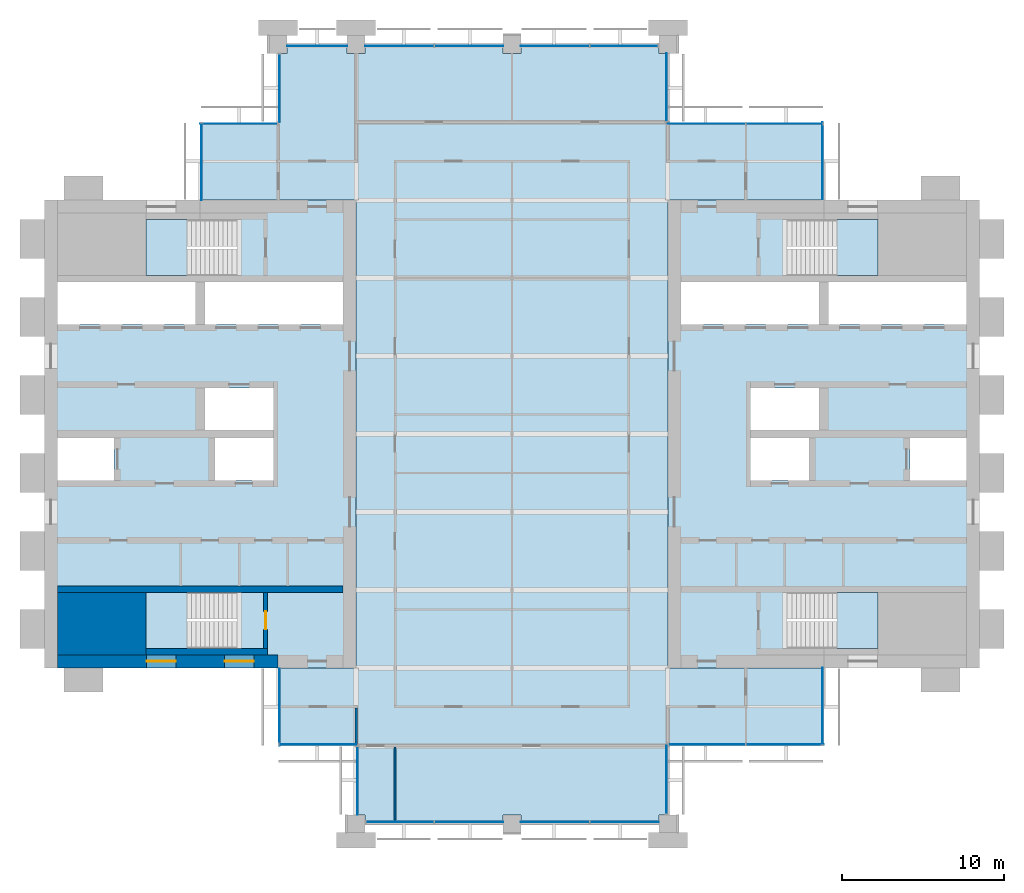
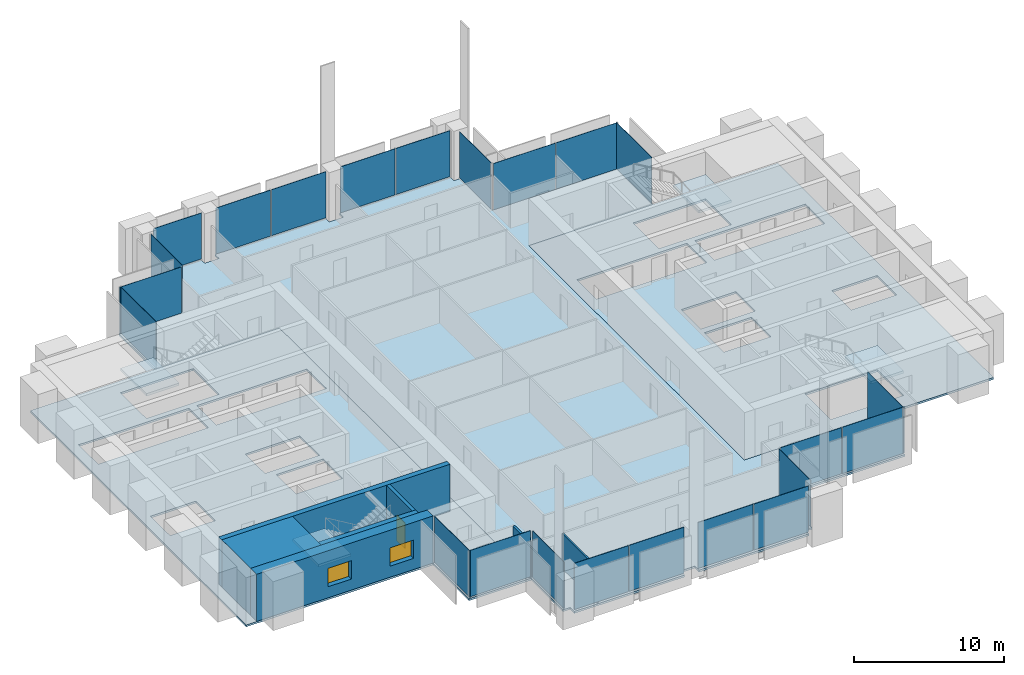
# One storey, part 7 of 13: 23 plates, 7 slabs, 7 walls, 2 windows, 1 door, 3 openings, 18 elements without a shape of their own.
"""IFC4 building model written with IfcOpenShell, lengths in metres."""

from ifc_helpers import new_model, si_unit, direction, frame, frame_2d, origin, origin_2d, place, context, subcontext, project, spatial, polyline, rectangle, outline, extrude, material, layer, layer_set, type_object, element, fill, aggregate, save


model = new_model("IFC4")

# Units and contexts
model_context = context("Model", 3, precision=1e-05, world=origin(), true_north=direction((0.0, 1.0)))
body_context = subcontext(model_context, "Body", "Model", "MODEL_VIEW")
ifc_project = project(units=[si_unit("LENGTHUNIT", "METRE"), si_unit("AREAUNIT", "SQUARE_METRE"), si_unit("VOLUMEUNIT", "CUBIC_METRE"), si_unit("PLANEANGLEUNIT", "RADIAN"), si_unit("MASSUNIT", "GRAM", prefix="KILO")], contexts=[model_context])

# Site, building, storey
site_placement = place(None, origin())
site = spatial("IfcSite", under=ifc_project, at=site_placement, CompositionType="ELEMENT")
building_placement = place(site_placement, origin())
building = spatial("IfcBuilding", under=site, at=building_placement, Name="Baori Bourse Tower", CompositionType="ELEMENT")
storey_placement = place(building_placement, frame((0.0, 0.0, 225.199951171875)))
storey = spatial("IfcBuildingStorey", under=building, at=storey_placement, Name="L49", CompositionType="ELEMENT", Elevation=225.199951171875)

# Curtain wall, plate
ifc_material_1 = material(Name="Pale anodised aluminium", Category="aluminium")
curtain_wall_type_1 = type_object("IfcCurtainWallType", Name="CW2 Curtain wall", PredefinedType="NOTDEFINED", material=ifc_material_1)
curtain_wall_1_placement = place(storey_placement, origin())
curtain_wall_1 = element("IfcCurtainWall", 1, at=curtain_wall_1_placement, inside=storey, type_object=curtain_wall_type_1, Name="Curtain wall CW2 L49 1", PredefinedType="NOTDEFINED")
ifc_material_2 = material(Name="Clear glass", Category="glass")
ifc_layer_1 = layer(ifc_material_2, 0.030029296875)
ifc_layer_set_1 = layer_set([ifc_layer_1], Name="CW2 Curtain wall panel")
plate_type_1 = type_object("IfcPlateType", Name="CW2 Curtain wall panel", PredefinedType="CURTAIN_PANEL", material=ifc_layer_set_1)
plate_1_placement = place(storey_placement, frame((47.909912109375, 40.827392578125, 0.070068359375), z_axis=(0.0, 0.0, 1.0), x_axis=(0.0, 1.0, 0.0)))
plate_1 = element("IfcPlate", 2, at=plate_1_placement, type_object=plate_type_1, Name="Curtain wall CW2 panel", PredefinedType="CURTAIN_PANEL", context=body_context, shape_type="SweptSolid", body=[
    extrude(rectangle(XDim=4.7451171875, YDim=0.030029296875, at=origin_2d()), origin(), (0.0, 0.0, 1.0), 3.77001953125),
])
aggregate(curtain_wall_1, [plate_1])

# Curtain wall, plates
curtain_wall_2_placement = place(storey_placement, origin())
curtain_wall_2 = element("IfcCurtainWall", 3, at=curtain_wall_2_placement, inside=storey, type_object=curtain_wall_type_1, Name="Curtain wall CW2 L49 2", PredefinedType="NOTDEFINED")
plate_2_placement = place(storey_placement, frame((45.586181640625, 43.110107421875, 0.070068359375), z_axis=(0.0, 0.0, 1.0), x_axis=(-1.0, 0.0, 0.0)))
plate_2 = element("IfcPlate", 4, at=plate_2_placement, type_object=plate_type_1, Name="Curtain wall CW2 panel", PredefinedType="CURTAIN_PANEL", context=body_context, shape_type="SweptSolid", body=[
    extrude(rectangle(XDim=4.717529296875, YDim=0.030029296875, at=origin_2d()), origin(), (0.0, 0.0, 1.0), 3.77001953125),
])
plate_3_placement = place(storey_placement, frame((40.7861328125, 43.110107421875, 0.070068359375), z_axis=(0.0, 0.0, 1.0), x_axis=(-1.0, 0.0, 0.0)))
plate_3 = element("IfcPlate", 5, at=plate_3_placement, type_object=plate_type_1, Name="Curtain wall CW2 panel", PredefinedType="CURTAIN_PANEL", context=body_context, shape_type="SweptSolid", body=[
    extrude(rectangle(XDim=4.7724609375, YDim=0.030029296875, at=origin_2d()), origin(), (0.0, 0.0, 1.0), 3.77001953125),
])
aggregate(curtain_wall_2, [plate_2, plate_3])

# Curtain wall, plate
curtain_wall_3_placement = place(storey_placement, origin())
curtain_wall_3 = element("IfcCurtainWall", 6, at=curtain_wall_3_placement, inside=storey, type_object=curtain_wall_type_1, Name="Curtain wall CW2 L49 3", PredefinedType="NOTDEFINED")
plate_4_placement = place(storey_placement, frame((38.31005859375, 45.3525390625, 0.070068359375), z_axis=(0.0, 0.0, 1.0), x_axis=(0.0, 1.0, 0.0)))
plate_4 = element("IfcPlate", 7, at=plate_4_placement, type_object=plate_type_1, Name="Curtain wall CW2 panel", PredefinedType="CURTAIN_PANEL", context=body_context, shape_type="SweptSolid", body=[
    extrude(rectangle(XDim=4.195068359375, YDim=0.030029296875, at=origin_2d()), origin(), (0.0, 0.0, 1.0), 3.77001953125),
])
aggregate(curtain_wall_3, [plate_4])

curtain_wall_4_placement = place(storey_placement, origin())
curtain_wall_4 = element("IfcCurtainWall", 8, at=curtain_wall_4_placement, inside=storey, type_object=curtain_wall_type_1, Name="Curtain wall CW2 L49 5", PredefinedType="NOTDEFINED")
plate_5_placement = place(storey_placement, frame((14.489990234375, 45.297607421875, 0.070068359375), z_axis=(0.0, 0.0, 1.0), x_axis=(0.0, -1.0, 0.0)))
plate_5 = element("IfcPlate", 9, at=plate_5_placement, type_object=plate_type_1, Name="Curtain wall CW2 panel", PredefinedType="CURTAIN_PANEL", context=body_context, shape_type="SweptSolid", body=[
    extrude(rectangle(XDim=4.195068359375, YDim=0.030029296875, at=origin_2d()), origin(), (0.0, 0.0, 1.0), 3.77001953125),
])
aggregate(curtain_wall_4, [plate_5])

curtain_wall_5_placement = place(storey_placement, origin())
curtain_wall_5 = element("IfcCurtainWall", 10, at=curtain_wall_5_placement, inside=storey, type_object=curtain_wall_type_1, Name="Curtain wall CW2 L49 6", PredefinedType="NOTDEFINED")
plate_6_placement = place(storey_placement, frame((11.972412109375, 43.110107421875, 0.070068359375), z_axis=(0.0, 0.0, 1.0), x_axis=(-1.0, 0.0, 0.0)))
plate_6 = element("IfcPlate", 11, at=plate_6_placement, type_object=plate_type_1, Name="Curtain wall CW2 panel", PredefinedType="CURTAIN_PANEL", context=body_context, shape_type="SweptSolid", body=[
    extrude(rectangle(XDim=4.7451171875, YDim=0.030029296875, at=origin_2d()), origin(), (0.0, 0.0, 1.0), 3.77001953125),
])
aggregate(curtain_wall_5, [plate_6])

curtain_wall_6_placement = place(storey_placement, origin())
curtain_wall_6 = element("IfcCurtainWall", 12, at=curtain_wall_6_placement, inside=storey, type_object=curtain_wall_type_1, Name="Curtain wall CW2 L49 7", PredefinedType="NOTDEFINED")
plate_7_placement = place(storey_placement, frame((9.68994140625, 40.7724609375, 0.070068359375), z_axis=(0.0, 0.0, 1.0), x_axis=(0.0, -1.0, 0.0)))
plate_7 = element("IfcPlate", 13, at=plate_7_placement, type_object=plate_type_1, Name="Curtain wall CW2 panel", PredefinedType="CURTAIN_PANEL", context=body_context, shape_type="SweptSolid", body=[
    extrude(rectangle(XDim=4.7451171875, YDim=0.030029296875, at=origin_2d()), origin(), (0.0, 0.0, 1.0), 3.77001953125),
])
aggregate(curtain_wall_6, [plate_7])

curtain_wall_7_placement = place(storey_placement, origin())
curtain_wall_7 = element("IfcCurtainWall", 14, at=curtain_wall_7_placement, inside=storey, type_object=curtain_wall_type_1, Name="Curtain wall CW2 L49 8", PredefinedType="NOTDEFINED")
plate_8_placement = place(storey_placement, frame((14.489990234375, 7.172607421875, 0.070068359375), z_axis=(0.0, 0.0, 1.0), x_axis=(0.0, -1.0, 0.0)))
plate_8 = element("IfcPlate", 15, at=plate_8_placement, type_object=plate_type_1, Name="Curtain wall CW2 panel", PredefinedType="CURTAIN_PANEL", context=body_context, shape_type="SweptSolid", body=[
    extrude(rectangle(XDim=4.7451171875, YDim=0.030029296875, at=origin_2d()), origin(), (0.0, 0.0, 1.0), 3.77001953125),
])
aggregate(curtain_wall_7, [plate_8])

curtain_wall_8_placement = place(storey_placement, origin())
curtain_wall_8 = element("IfcCurtainWall", 16, at=curtain_wall_8_placement, inside=storey, type_object=curtain_wall_type_1, Name="Curtain wall CW2 L49 9", PredefinedType="NOTDEFINED")
plate_9_placement = place(storey_placement, frame((16.827392578125, 4.889892578125, 0.070068359375), z_axis=(0.0, 0.0, 1.0), x_axis=(1.0, 0.0, 0.0)))
plate_9 = element("IfcPlate", 17, at=plate_9_placement, type_object=plate_type_1, Name="Curtain wall CW2 panel", PredefinedType="CURTAIN_PANEL", context=body_context, shape_type="SweptSolid", body=[
    extrude(rectangle(XDim=4.7451171875, YDim=0.030029296875, at=origin_2d()), origin(), (0.0, 0.0, 1.0), 3.77001953125),
])
aggregate(curtain_wall_8, [plate_9])

curtain_wall_9_placement = place(storey_placement, origin())
curtain_wall_9 = element("IfcCurtainWall", 18, at=curtain_wall_9_placement, inside=storey, type_object=curtain_wall_type_1, Name="Curtain wall CW2 L49 10", PredefinedType="NOTDEFINED")
plate_10_placement = place(storey_placement, frame((19.2900390625, 2.6474609375, 0.070068359375), z_axis=(0.0, 0.0, 1.0), x_axis=(0.0, -1.0, 0.0)))
plate_10 = element("IfcPlate", 19, at=plate_10_placement, type_object=plate_type_1, Name="Curtain wall CW2 panel", PredefinedType="CURTAIN_PANEL", context=body_context, shape_type="SweptSolid", body=[
    extrude(rectangle(XDim=4.195068359375, YDim=0.030029296875, at=origin_2d()), origin(), (0.0, 0.0, 1.0), 3.77001953125),
])
aggregate(curtain_wall_9, [plate_10])

curtain_wall_10_placement = place(storey_placement, origin())
curtain_wall_10 = element("IfcCurtainWall", 20, at=curtain_wall_10_placement, inside=storey, type_object=curtain_wall_type_1, Name="Curtain wall CW2 L49 12", PredefinedType="NOTDEFINED")
plate_11_placement = place(storey_placement, frame((38.31005859375, 2.702392578125, 0.070068359375), z_axis=(0.0, 0.0, 1.0), x_axis=(0.0, 1.0, 0.0)))
plate_11 = element("IfcPlate", 21, at=plate_11_placement, type_object=plate_type_1, Name="Curtain wall CW2 panel", PredefinedType="CURTAIN_PANEL", context=body_context, shape_type="SweptSolid", body=[
    extrude(rectangle(XDim=4.195068359375, YDim=0.030029296875, at=origin_2d()), origin(), (0.0, 0.0, 1.0), 3.77001953125),
])
aggregate(curtain_wall_10, [plate_11])

# Curtain wall, plates
curtain_wall_11_placement = place(storey_placement, origin())
curtain_wall_11 = element("IfcCurtainWall", 22, at=curtain_wall_11_placement, inside=storey, type_object=curtain_wall_type_1, Name="Curtain wall CW2 L49 13", PredefinedType="NOTDEFINED")
plate_12_placement = place(storey_placement, frame((40.813720703125, 4.889892578125, 0.070068359375), z_axis=(0.0, 0.0, 1.0), x_axis=(1.0, 0.0, 0.0)))
plate_12 = element("IfcPlate", 23, at=plate_12_placement, type_object=plate_type_1, Name="Curtain wall CW2 panel", PredefinedType="CURTAIN_PANEL", context=body_context, shape_type="SweptSolid", body=[
    extrude(rectangle(XDim=4.717529296875, YDim=0.030029296875, at=origin_2d()), origin(), (0.0, 0.0, 1.0), 3.77001953125),
])
plate_13_placement = place(storey_placement, frame((45.61376953125, 4.889892578125, 0.070068359375), z_axis=(0.0, 0.0, 1.0), x_axis=(1.0, 0.0, 0.0)))
plate_13 = element("IfcPlate", 24, at=plate_13_placement, type_object=plate_type_1, Name="Curtain wall CW2 panel", PredefinedType="CURTAIN_PANEL", context=body_context, shape_type="SweptSolid", body=[
    extrude(rectangle(XDim=4.7724609375, YDim=0.030029296875, at=origin_2d()), origin(), (0.0, 0.0, 1.0), 3.77001953125),
])
aggregate(curtain_wall_11, [plate_12, plate_13])

# Curtain wall, plate
curtain_wall_12_placement = place(storey_placement, origin())
curtain_wall_12 = element("IfcCurtainWall", 25, at=curtain_wall_12_placement, inside=storey, type_object=curtain_wall_type_1, Name="Curtain wall CW2 L49 14", PredefinedType="NOTDEFINED")
plate_14_placement = place(storey_placement, frame((47.909912109375, 7.2275390625, 0.070068359375), z_axis=(0.0, 0.0, 1.0), x_axis=(0.0, 1.0, 0.0)))
plate_14 = element("IfcPlate", 26, at=plate_14_placement, type_object=plate_type_1, Name="Curtain wall CW2 panel", PredefinedType="CURTAIN_PANEL", context=body_context, shape_type="SweptSolid", body=[
    extrude(rectangle(XDim=4.7451171875, YDim=0.030029296875, at=origin_2d()), origin(), (0.0, 0.0, 1.0), 3.77001953125),
])
aggregate(curtain_wall_12, [plate_14])

# Curtain wall, plates
ifc_material_3 = material(Name="Pale anodised aluminium", Category="aluminium")
curtain_wall_type_2 = type_object("IfcCurtainWallType", Name="CW5 Curtain wall", PredefinedType="NOTDEFINED", material=ifc_material_3)
curtain_wall_13_placement = place(storey_placement, origin())
curtain_wall_13 = element("IfcCurtainWall", 27, at=curtain_wall_13_placement, inside=storey, type_object=curtain_wall_type_2, Name="Curtain wall CW5 L49 4", PredefinedType="NOTDEFINED")
ifc_material_4 = material(Name="Clear glass", Category="glass")
ifc_layer_2 = layer(ifc_material_4, 0.035888671875)
ifc_layer_set_2 = layer_set([ifc_layer_2], Name="CW5 Curtain wall panel")
plate_type_2 = type_object("IfcPlateType", Name="CW5 Curtain wall panel", PredefinedType="CURTAIN_PANEL", material=ifc_layer_set_2)
plate_15_placement = place(storey_placement, frame((35.708740234375, 47.889892578125, 0.085205078125), z_axis=(0.0, 0.0, 1.0), x_axis=(-1.0, 0.0, 0.0)))
plate_15 = element("IfcPlate", 28, at=plate_15_placement, type_object=plate_type_2, Name="Curtain wall CW5 panel", PredefinedType="CURTAIN_PANEL", context=body_context, shape_type="SweptSolid", body=[
    extrude(rectangle(XDim=4.152587890625, YDim=0.035888671875, at=origin_2d()), origin(), (0.0, 0.0, 1.0), 3.7548828125),
])
plate_16_placement = place(storey_placement, frame((31.458740234375, 47.889892578125, 0.085205078125), z_axis=(0.0, 0.0, 1.0), x_axis=(-1.0, 0.0, 0.0)))
plate_16 = element("IfcPlate", 29, at=plate_16_placement, type_object=plate_type_2, Name="Curtain wall CW5 panel", PredefinedType="CURTAIN_PANEL", context=body_context, shape_type="SweptSolid", body=[
    extrude(rectangle(XDim=4.217529296875, YDim=0.035888671875, at=origin_2d()), origin(), (0.0, 0.0, 1.0), 3.7548828125),
])
plate_17_placement = place(storey_placement, frame((26.141357421875, 47.889892578125, 0.085205078125), z_axis=(0.0, 0.0, 1.0), x_axis=(-1.0, 0.0, 0.0)))
plate_17 = element("IfcPlate", 30, at=plate_17_placement, type_object=plate_type_2, Name="Curtain wall CW5 panel", PredefinedType="CURTAIN_PANEL", context=body_context, shape_type="SweptSolid", body=[
    extrude(rectangle(XDim=4.217529296875, YDim=0.035888671875, at=origin_2d()), origin(), (0.0, 0.0, 1.0), 3.7548828125),
])
plate_18_placement = place(storey_placement, frame((21.858642578125, 47.889892578125, 0.085205078125), z_axis=(0.0, 0.0, 1.0), x_axis=(-1.0, 0.0, 0.0)))
plate_18 = element("IfcPlate", 31, at=plate_18_placement, type_object=plate_type_2, Name="Curtain wall CW5 panel", PredefinedType="CURTAIN_PANEL", context=body_context, shape_type="SweptSolid", body=[
    extrude(rectangle(XDim=4.217529296875, YDim=0.035888671875, at=origin_2d()), origin(), (0.0, 0.0, 1.0), 3.7548828125),
])
plate_19_placement = place(storey_placement, frame((16.800048828125, 47.889892578125, 0.085205078125), z_axis=(0.0, 0.0, 1.0), x_axis=(-1.0, 0.0, 0.0)))
plate_19 = element("IfcPlate", 32, at=plate_19_placement, type_object=plate_type_2, Name="Curtain wall CW5 panel", PredefinedType="CURTAIN_PANEL", context=body_context, shape_type="SweptSolid", body=[
    extrude(rectangle(XDim=3.699951171875, YDim=0.035888671875, at=origin_2d()), origin(), (0.0, 0.0, 1.0), 3.7548828125),
])
aggregate(curtain_wall_13, [plate_15, plate_16, plate_17, plate_18, plate_19])

curtain_wall_14_placement = place(storey_placement, origin())
curtain_wall_14 = element("IfcCurtainWall", 33, at=curtain_wall_14_placement, inside=storey, type_object=curtain_wall_type_2, Name="Curtain wall CW5 L49 11", PredefinedType="NOTDEFINED")
plate_20_placement = place(storey_placement, frame((21.891357421875, 0.110107421875, 0.085205078125), z_axis=(0.0, 0.0, 1.0), x_axis=(1.0, 0.0, 0.0)))
plate_20 = element("IfcPlate", 34, at=plate_20_placement, type_object=plate_type_2, Name="Curtain wall CW5 panel", PredefinedType="CURTAIN_PANEL", context=body_context, shape_type="SweptSolid", body=[
    extrude(rectangle(XDim=4.152587890625, YDim=0.035888671875, at=origin_2d()), origin(), (0.0, 0.0, 1.0), 3.7548828125),
])
plate_21_placement = place(storey_placement, frame((26.141357421875, 0.110107421875, 0.085205078125), z_axis=(0.0, 0.0, 1.0), x_axis=(1.0, 0.0, 0.0)))
plate_21 = element("IfcPlate", 35, at=plate_21_placement, type_object=plate_type_2, Name="Curtain wall CW5 panel", PredefinedType="CURTAIN_PANEL", context=body_context, shape_type="SweptSolid", body=[
    extrude(rectangle(XDim=4.217529296875, YDim=0.035888671875, at=origin_2d()), origin(), (0.0, 0.0, 1.0), 3.7548828125),
])
plate_22_placement = place(storey_placement, frame((31.458740234375, 0.110107421875, 0.085205078125), z_axis=(0.0, 0.0, 1.0), x_axis=(1.0, 0.0, 0.0)))
plate_22 = element("IfcPlate", 36, at=plate_22_placement, type_object=plate_type_2, Name="Curtain wall CW5 panel", PredefinedType="CURTAIN_PANEL", context=body_context, shape_type="SweptSolid", body=[
    extrude(rectangle(XDim=4.217529296875, YDim=0.035888671875, at=origin_2d()), origin(), (0.0, 0.0, 1.0), 3.7548828125),
])
plate_23_placement = place(storey_placement, frame((35.7412109375, 0.110107421875, 0.085205078125), z_axis=(0.0, 0.0, 1.0), x_axis=(1.0, 0.0, 0.0)))
plate_23 = element("IfcPlate", 37, at=plate_23_placement, type_object=plate_type_2, Name="Curtain wall CW5 panel", PredefinedType="CURTAIN_PANEL", context=body_context, shape_type="SweptSolid", body=[
    extrude(rectangle(XDim=4.217529296875, YDim=0.035888671875, at=origin_2d()), origin(), (0.0, 0.0, 1.0), 3.7548828125),
])
aggregate(curtain_wall_14, [plate_20, plate_21, plate_22, plate_23])

# Slabs
ifc_material_5 = material(Name="Concrete f'c 50 MPa", Category="concrete")
ifc_layer_3 = layer(ifc_material_5, 0.159912109375)
ifc_layer_set_3 = layer_set([ifc_layer_3], Name="Core slab 160")
slab_type_1 = type_object("IfcSlabType", Name="Core slab 160", PredefinedType="FLOOR", material=ifc_layer_set_3)
slab_1_placement = place(storey_placement, frame((0.0, 0.0, -0.159912109375)))
element("IfcSlab", 38, at=slab_1_placement, inside=storey, type_object=slab_type_1, Name="Core floor slab W01", PredefinedType="FLOOR", context=body_context, shape_type="SweptSolid", body=[
    extrude(outline(polyline([(19.199951171875, 38.39990234375), (0.0, 38.39990234375), (0.0, 9.60009765625), (19.199951171875, 9.60009765625), (19.199951171875, 38.39990234375)]), holes=[polyline([(9.89990234375, 33.35009765625), (18.39990234375, 33.35009765625), (18.39990234375, 30.75), (9.89990234375, 30.75), (9.89990234375, 33.35009765625)]), polyline([(10.5, 21.14990234375), (10.5, 23.75), (14.10009765625, 23.75), (14.10009765625, 21.14990234375), (10.5, 21.14990234375)]), polyline([(14.10009765625, 24.25), (9.89990234375, 24.25), (9.89990234375, 26.85009765625), (14.10009765625, 26.85009765625), (14.10009765625, 24.25)]), polyline([(6.25, 14.25), (11.84912109375, 14.25), (11.84912109375, 10.800048828125), (6.25, 10.800048828125), (6.25, 14.25)]), polyline([(11.84912109375, 37.199951171875), (11.84912109375, 33.75), (6.25, 33.75), (6.25, 37.199951171875), (11.84912109375, 37.199951171875)]), polyline([(0.800048828125, 30.75), (0.800048828125, 33.35009765625), (9.300048828125, 33.35009765625), (9.300048828125, 30.75), (0.800048828125, 30.75)]), polyline([(4.300048828125, 23.75), (4.300048828125, 21.14990234375), (0.800048828125, 21.14990234375), (0.800048828125, 23.75), (4.300048828125, 23.75)])]), origin(), (0.0, 0.0, 1.0), 0.159912109375),
])
slab_2_placement = place(storey_placement, frame((0.0, 0.0, -0.159912109375)))
element("IfcSlab", 39, at=slab_2_placement, inside=storey, type_object=slab_type_1, Name="Core floor slab E01", PredefinedType="FLOOR", context=body_context, shape_type="SweptSolid", body=[
    extrude(outline(polyline([(57.60009765625, 9.60009765625), (57.60009765625, 38.39990234375), (38.39990234375, 38.39990234375), (38.39990234375, 9.60009765625), (57.60009765625, 9.60009765625)]), holes=[polyline([(48.300048828125, 33.35009765625), (56.800048828125, 33.35009765625), (56.800048828125, 30.75), (48.300048828125, 30.75), (48.300048828125, 33.35009765625)]), polyline([(56.800048828125, 21.14990234375), (53.300048828125, 21.14990234375), (53.300048828125, 23.75), (56.800048828125, 23.75), (56.800048828125, 21.14990234375)]), polyline([(45.750732421875, 14.25), (51.35009765625, 14.25), (51.35009765625, 10.800048828125), (45.750732421875, 10.800048828125), (45.750732421875, 14.25)]), polyline([(51.35009765625, 37.199951171875), (51.35009765625, 33.75), (45.750732421875, 33.75), (45.750732421875, 37.199951171875), (51.35009765625, 37.199951171875)]), polyline([(43.5, 24.25), (43.5, 26.85009765625), (47.699951171875, 26.85009765625), (47.699951171875, 24.25), (43.5, 24.25)]), polyline([(47.699951171875, 33.35009765625), (47.699951171875, 30.75), (39.199951171875, 30.75), (39.199951171875, 33.35009765625), (47.699951171875, 33.35009765625)]), polyline([(43.5, 23.75), (47.10009765625, 23.75), (47.10009765625, 21.14990234375), (43.5, 21.14990234375), (43.5, 23.75)])]), origin(), (0.0, 0.0, 1.0), 0.159912109375),
])

# Stair, slab
ifc_material_6 = material(Name="Concrete f'c 50 MPa", Category="concrete")
stair_type = type_object("IfcStairType", Name="Core stair", PredefinedType="HALF_TURN_STAIR", material=ifc_material_6)
stair_1_placement = place(storey_placement, origin())
stair_1 = element("IfcStair", 40, at=stair_1_placement, inside=storey, type_object=stair_type, Name="L49 Stair WA", PredefinedType="HALF_TURN_STAIR")
ifc_material_7 = material(Name="Concrete f'c 50 MPa", Category="concrete")
slab_type_2 = type_object("IfcSlabType", Name="Core stair landing", PredefinedType="LANDING", material=ifc_material_7)
slab_3_placement = place(storey_placement, frame((0.0, 0.0, 1.800048828125)))
slab_3 = element("IfcSlab", 41, at=slab_3_placement, type_object=slab_type_2, Name="ST1 landing 1", PredefinedType="LANDING", context=body_context, shape_type="SweptSolid", body=[
    extrude(outline(polyline([(8.77001953125, 14.25), (6.25, 14.25), (6.25, 10.800048828125), (8.77001953125, 10.800048828125), (8.77001953125, 14.25)])), origin(), (0.0, 0.0, 1.0), 0.199951171875),
])
aggregate(stair_1, [slab_3])

stair_2_placement = place(storey_placement, origin())
stair_2 = element("IfcStair", 42, at=stair_2_placement, inside=storey, type_object=stair_type, Name="L49 Stair WB", PredefinedType="HALF_TURN_STAIR")
slab_4_placement = place(storey_placement, frame((0.0, 0.0, 1.800048828125)))
slab_4 = element("IfcSlab", 43, at=slab_4_placement, type_object=slab_type_2, Name="ST2 landing 1", PredefinedType="LANDING", context=body_context, shape_type="SweptSolid", body=[
    extrude(outline(polyline([(8.77001953125, 37.199951171875), (6.25, 37.199951171875), (6.25, 33.75), (8.77001953125, 33.75), (8.77001953125, 37.199951171875)])), origin(), (0.0, 0.0, 1.0), 0.199951171875),
])
aggregate(stair_2, [slab_4])

stair_3_placement = place(storey_placement, origin())
stair_3 = element("IfcStair", 44, at=stair_3_placement, inside=storey, type_object=stair_type, Name="L49 Stair EA", PredefinedType="HALF_TURN_STAIR")
slab_5_placement = place(storey_placement, frame((0.0, 0.0, 1.800048828125)))
slab_5 = element("IfcSlab", 45, at=slab_5_placement, type_object=slab_type_2, Name="ST3 landing 1", PredefinedType="LANDING", context=body_context, shape_type="SweptSolid", body=[
    extrude(outline(polyline([(48.830078125, 10.800048828125), (51.35009765625, 10.800048828125), (51.35009765625, 14.25), (48.830078125, 14.25), (48.830078125, 10.800048828125)])), origin(), (0.0, 0.0, 1.0), 0.199951171875),
])
aggregate(stair_3, [slab_5])

stair_4_placement = place(storey_placement, origin())
stair_4 = element("IfcStair", 46, at=stair_4_placement, inside=storey, type_object=stair_type, Name="L49 Stair EB", PredefinedType="HALF_TURN_STAIR")
slab_6_placement = place(storey_placement, frame((0.0, 0.0, 1.800048828125)))
slab_6 = element("IfcSlab", 47, at=slab_6_placement, type_object=slab_type_2, Name="ST4 landing 1", PredefinedType="LANDING", context=body_context, shape_type="SweptSolid", body=[
    extrude(outline(polyline([(48.830078125, 33.75), (51.35009765625, 33.75), (51.35009765625, 37.199951171875), (48.830078125, 37.199951171875), (48.830078125, 33.75)])), origin(), (0.0, 0.0, 1.0), 0.199951171875),
])
aggregate(stair_4, [slab_6])

# Slab
ifc_material_8 = material(Name="Concrete f'c 40 MPa", Category="concrete")
ifc_layer_4 = layer(ifc_material_8, 0.159912109375)
ifc_layer_set_4 = layer_set([ifc_layer_4], Name="Floor slab 160")
slab_type_3 = type_object("IfcSlabType", Name="Floor slab 160", PredefinedType="FLOOR", material=ifc_layer_set_4)
slab_7_placement = place(storey_placement, frame((0.0, 0.0, -0.159912109375)))
element("IfcSlab", 48, at=slab_7_placement, inside=storey, type_object=slab_type_3, Name="Floor slab L49", PredefinedType="FLOOR", context=body_context, shape_type="SweptSolid", body=[
    extrude(outline(polyline([(19.199951171875, 4.800048828125), (14.39990234375, 4.800048828125), (14.39990234375, 9.60009765625), (19.199951171875, 9.60009765625), (19.199951171875, 38.39990234375), (9.60009765625, 38.39990234375), (9.60009765625, 43.199951171875), (14.39990234375, 43.199951171875), (14.39990234375, 47.449951171875), (14.949951171875, 47.449951171875), (14.949951171875, 48.0), (18.64990234375, 48.0), (18.64990234375, 47.449951171875), (19.75, 47.449951171875), (19.75, 48.0), (28.25, 48.0), (28.25, 47.449951171875), (29.35009765625, 47.449951171875), (29.35009765625, 48.0), (37.85009765625, 48.0), (37.85009765625, 47.449951171875), (38.39990234375, 47.449951171875), (38.39990234375, 43.199951171875), (48.0, 43.199951171875), (48.0, 38.39990234375), (38.39990234375, 38.39990234375), (38.39990234375, 9.60009765625), (48.0, 9.60009765625), (48.0, 4.800048828125), (38.39990234375, 4.800048828125), (38.39990234375, 0.550048828125), (37.85009765625, 0.550048828125), (37.85009765625, 0.0), (29.35009765625, 0.0), (29.35009765625, 0.550048828125), (28.25, 0.550048828125), (28.25, 0.0), (19.75, 0.0), (19.75, 0.550048828125), (19.199951171875, 0.550048828125), (19.199951171875, 4.800048828125)])), origin(), (0.0, 0.0, 1.0), 0.159912109375),
])

# Wall
ifc_material_9 = material(Name="Concrete f'c 50 MPa", Category="concrete")
wall_type_1 = type_object("IfcWallType", Name="Core corner block f'c 50", PredefinedType="SHEAR", material=ifc_material_9)
wall_1_placement = place(storey_placement, frame((0.800048828125, 12.324951171875, 0.0), z_axis=(0.0, 0.0, 1.0), x_axis=(1.0, 0.0, 0.0)))
element("IfcWall", 49, at=wall_1_placement, inside=storey, type_object=wall_type_1, Name="Core wall W05", PredefinedType="SHEAR", context=body_context, shape_type="SweptSolid", body=[
    extrude(rectangle(XDim=5.449951171875, YDim=3.85009765625, at=frame_2d((2.72509765625, 0.0))), origin(), (0.0, 0.0, 1.0), 3.840087890625),
])

# Wall, openings, windows
ifc_material_10 = material(Name="Concrete f'c 50 MPa", Category="concrete")
ifc_layer_5 = layer(ifc_material_10, 0.800048828125)
ifc_layer_set_5 = layer_set([ifc_layer_5], Name="Core wall 800 f'c 50")
wall_type_2 = type_object("IfcWallType", Name="Core wall 800 f'c 50", PredefinedType="SHEAR", material=ifc_layer_set_5)
wall_2_placement = place(storey_placement, frame((14.39990234375, 10.0, 0.0), z_axis=(0.0, 0.0, 1.0), x_axis=(-1.0, 0.0, 0.0)))
wall_2 = element("IfcWall", 50, at=wall_2_placement, inside=storey, type_object=wall_type_2, Name="Core wall W02", PredefinedType="SHEAR", context=body_context, shape_type="SweptSolid", body=[
    extrude(rectangle(XDim=13.599853515625, YDim=0.800048828125, at=frame_2d((6.7998046875, 0.0))), origin(), (0.0, 0.0, 1.0), 3.840087890625),
])
opening_1_placement = place(wall_2_placement, frame((6.300048828125, 0.0, 0.89990234375)))
opening_1 = element("IfcOpeningElement", 51, at=opening_1_placement, cuts=wall_2, Name="Opening L49-KW103", PredefinedType="OPENING", context=body_context, shape_type="SweptSolid", body=[
    extrude(rectangle(XDim=1.800048828125, YDim=1.5, at=frame_2d((0.89990234375, 0.75))), frame((0.0, 0.409912109375, 0.0), z_axis=(0.0, -1.0, 0.0), x_axis=(1.0, 0.0, 0.0)), (0.0, 0.0, 1.0), 0.820068359375),
])
opening_2_placement = place(wall_2_placement, frame((1.5, 0.0, 0.89990234375)))
opening_2 = element("IfcOpeningElement", 52, at=opening_2_placement, cuts=wall_2, Name="Opening L49-KW104", PredefinedType="OPENING", context=body_context, shape_type="SweptSolid", body=[
    extrude(rectangle(XDim=1.800048828125, YDim=1.5, at=frame_2d((0.89990234375, 0.75))), frame((0.0, 0.409912109375, 0.0), z_axis=(0.0, -1.0, 0.0), x_axis=(1.0, 0.0, 0.0)), (0.0, 0.0, 1.0), 0.820068359375),
])
ifc_material_11 = material(Name="Pale anodised aluminium", Category="aluminium")
window_type = type_object("IfcWindowType", Name="Stair window 1800 x 1500", PartitioningType="SINGLE_PANEL", PredefinedType="WINDOW", material=ifc_material_11)
window_1_placement = place(opening_1_placement, origin())
window_1 = element("IfcWindow", 53, at=window_1_placement, inside=storey, type_object=window_type, Name="Stair window W L49 3", OverallHeight=1.5, OverallWidth=1.800048828125, PartitioningType="SINGLE_PANEL", PredefinedType="WINDOW", context=body_context, shape_type="SweptSolid", body=[
    extrude(rectangle(XDim=1.800048828125, YDim=1.5, at=frame_2d((0.89990234375, 0.75))), frame((0.0, 0.030029296875, 0.0), z_axis=(0.0, -1.0, 0.0), x_axis=(1.0, 0.0, 0.0)), (0.0, 0.0, 1.0), 0.06005859375),
])
fill(opening_1, window_1)
window_2_placement = place(opening_2_placement, origin())
window_2 = element("IfcWindow", 54, at=window_2_placement, inside=storey, type_object=window_type, Name="Stair window W L49 4", OverallHeight=1.5, OverallWidth=1.800048828125, PartitioningType="SINGLE_PANEL", PredefinedType="WINDOW", context=body_context, shape_type="SweptSolid", body=[
    extrude(rectangle(XDim=1.800048828125, YDim=1.5, at=frame_2d((0.89990234375, 0.75))), frame((0.0, 0.030029296875, 0.0), z_axis=(0.0, -1.0, 0.0), x_axis=(1.0, 0.0, 0.0)), (0.0, 0.0, 1.0), 0.06005859375),
])
fill(opening_2, window_2)

# Walls
ifc_material_12 = material(Name="Gypsum board partition")
ifc_layer_6 = layer(ifc_material_12, 0.14990234375)
ifc_layer_set_6 = layer_set([ifc_layer_6], Name="Corridor partition 150")
wall_type_3 = type_object("IfcWallType", Name="Corridor partition 150", PredefinedType="PARTITIONING", material=ifc_layer_set_6)
wall_3_placement = place(storey_placement, frame((19.199951171875, 4.875, 0.0), z_axis=(0.0, 0.0, 1.0), x_axis=(0.0, 1.0, 0.0)))
element("IfcWall", 55, at=wall_3_placement, inside=storey, type_object=wall_type_3, Name="Partition", PredefinedType="PARTITIONING", context=body_context, shape_type="SweptSolid", body=[
    extrude(rectangle(XDim=2.25, YDim=0.14990234375, at=frame_2d((1.125, 0.0))), origin(), (0.0, 0.0, 1.0), 2.869873046875),
])
ifc_material_13 = material(Name="Gypsum board partition")
ifc_layer_7 = layer(ifc_material_13, 0.125)
ifc_layer_set_7 = layer_set([ifc_layer_7], Name="Partition 125")
wall_type_4 = type_object("IfcWallType", Name="Partition 125", PredefinedType="PARTITIONING", material=ifc_layer_set_7)
wall_4_placement = place(storey_placement, frame((21.60009765625, 0.10009765625, 0.0), z_axis=(0.0, 0.0, 1.0), x_axis=(0.0, 1.0, 0.0)))
element("IfcWall", 56, at=wall_4_placement, inside=storey, type_object=wall_type_4, Name="Partition", PredefinedType="PARTITIONING", context=body_context, shape_type="SweptSolid", body=[
    extrude(rectangle(XDim=4.625, YDim=0.125, at=frame_2d((2.3125, 0.0))), origin(), (0.0, 0.0, 1.0), 2.869873046875),
])

# Wall, opening, door
ifc_material_14 = material(Name="Concrete f'c 50 MPa", Category="concrete")
ifc_layer_8 = layer(ifc_material_14, 0.25)
ifc_layer_set_8 = layer_set([ifc_layer_8], Name="Shaft wall 250 f'c 50")
wall_type_5 = type_object("IfcWallType", Name="Shaft wall 250 f'c 50", PredefinedType="SHEAR", material=ifc_layer_set_8)
wall_5_placement = place(storey_placement, frame((13.625, 10.800048828125, 0.0), z_axis=(0.0, 0.0, 1.0), x_axis=(0.0, 1.0, 0.0)))
wall_5 = element("IfcWall", 57, at=wall_5_placement, inside=storey, type_object=wall_type_5, Name="Core wall W07", PredefinedType="SHEAR", context=body_context, shape_type="SweptSolid", body=[
    extrude(rectangle(XDim=3.449951171875, YDim=0.25, at=frame_2d((1.72509765625, 0.0))), origin(), (0.0, 0.0, 1.0), 3.840087890625),
])
opening_3_placement = place(wall_5_placement, frame((1.175048828125, 0.0, 0.0)))
opening_3 = element("IfcOpeningElement", 58, at=opening_3_placement, cuts=wall_5, Name="Opening L49-D101", PredefinedType="OPENING", context=body_context, shape_type="SweptSolid", body=[
    extrude(rectangle(XDim=1.10009765625, YDim=2.10009765625, at=frame_2d((0.550048828125, 1.050048828125))), frame((0.0, 0.135009765625, 0.0), z_axis=(0.0, -1.0, 0.0), x_axis=(1.0, 0.0, 0.0)), (0.0, 0.0, 1.0), 0.27001953125),
])
ifc_material_15 = material(Name="Painted steel door", Category="steel")
door_type = type_object("IfcDoorType", Name="Stair door 1100", OperationType="SINGLE_SWING_LEFT", PredefinedType="DOOR", material=ifc_material_15)
door_placement = place(opening_3_placement, origin())
door = element("IfcDoor", 59, at=door_placement, inside=storey, type_object=door_type, Name="Stair door A W L49", OperationType="SINGLE_SWING_LEFT", OverallHeight=2.10009765625, OverallWidth=1.10009765625, PredefinedType="DOOR", context=body_context, shape_type="SweptSolid", body=[
    extrude(rectangle(XDim=1.10009765625, YDim=2.10009765625, at=frame_2d((0.550048828125, 1.050048828125))), frame((0.0, 0.02490234375, 0.0), z_axis=(0.0, -1.0, 0.0), x_axis=(1.0, 0.0, 0.0)), (0.0, 0.0, 1.0), 0.050048828125),
])
fill(opening_3, door)

# Walls
ifc_material_16 = material(Name="Concrete f'c 50 MPa", Category="concrete")
ifc_layer_9 = layer(ifc_material_16, 0.39990234375)
ifc_layer_set_9 = layer_set([ifc_layer_9], Name="Shaft wall 400 f'c 50")
wall_type_6 = type_object("IfcWallType", Name="Shaft wall 400 f'c 50", PredefinedType="SHEAR", material=ifc_layer_set_9)
wall_6_placement = place(storey_placement, frame((6.25, 10.60009765625, 0.0), z_axis=(0.0, 0.0, 1.0), x_axis=(1.0, 0.0, 0.0)))
element("IfcWall", 60, at=wall_6_placement, inside=storey, type_object=wall_type_6, Name="Core wall W06", PredefinedType="SHEAR", context=body_context, shape_type="SweptSolid", body=[
    extrude(rectangle(XDim=7.5, YDim=0.39990234375, at=frame_2d((3.75, 0.0))), origin(), (0.0, 0.0, 1.0), 3.840087890625),
])
wall_7_placement = place(storey_placement, frame((0.800048828125, 14.449951171875, 0.0), z_axis=(0.0, 0.0, 1.0), x_axis=(1.0, 0.0, 0.0)))
element("IfcWall", 61, at=wall_7_placement, inside=storey, type_object=wall_type_6, Name="Core wall W08", PredefinedType="SHEAR", context=body_context, shape_type="SweptSolid", body=[
    extrude(rectangle(XDim=17.599853515625, YDim=0.39990234375, at=frame_2d((8.7998046875, 0.0))), origin(), (0.0, 0.0, 1.0), 3.840087890625),
])

save(model, "model.ifc")
